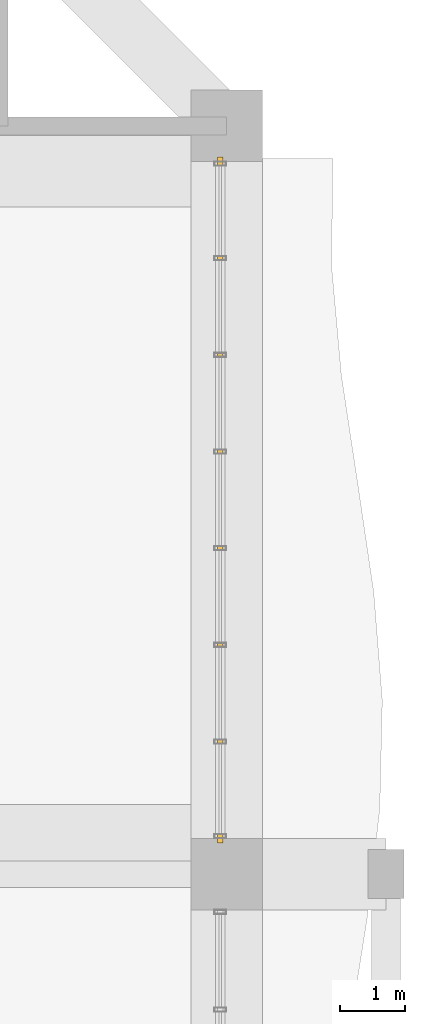
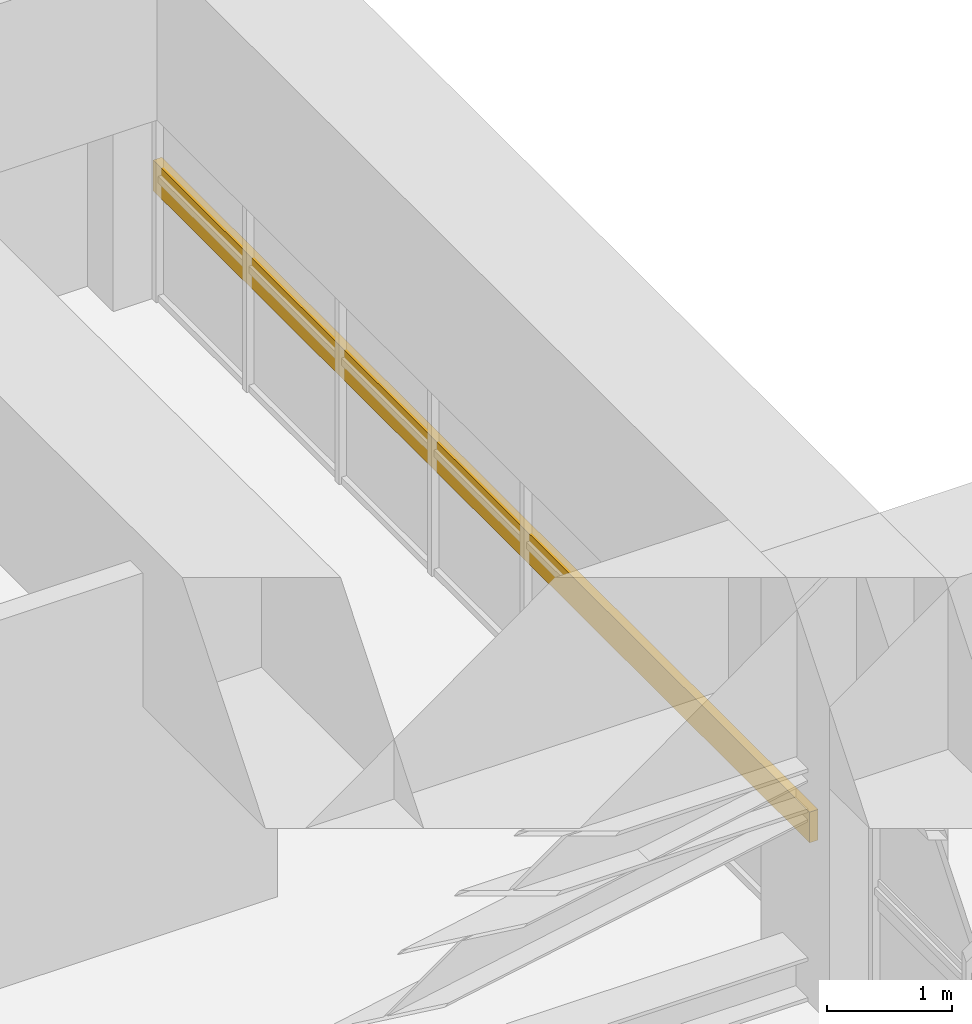
# One storey, part 35 of 35: 1 shading device.
"""IFC4 building model written with IfcOpenShell, lengths in metres."""

from ifc_helpers import new_model, si_unit, direction, frame, origin, origin_2d, place, context, subcontext, project, spatial, rectangle, extrude, source, transform, mapped, material, material_profile, profile_set, type_object, element, save


model = new_model("IFC4")

# Units and contexts
model_context = context("Model", 3, precision=1e-05, world=origin(), true_north=direction((0.0, 1.0)))
body_context = subcontext(model_context, "Body", "Model", "MODEL_VIEW")
ifc_project = project(units=[si_unit("LENGTHUNIT", "METRE"), si_unit("AREAUNIT", "SQUARE_METRE"), si_unit("VOLUMEUNIT", "CUBIC_METRE"), si_unit("PLANEANGLEUNIT", "RADIAN"), si_unit("MASSUNIT", "GRAM", prefix="KILO")], contexts=[model_context])

# Site, building, storey
site_placement = place(None, origin())
site = spatial("IfcSite", under=ifc_project, at=site_placement, CompositionType="ELEMENT")
building_placement = place(site_placement, origin())
building = spatial("IfcBuilding", under=site, at=building_placement, Name="Saelheon Loggia Tower", CompositionType="ELEMENT")
storey_placement = place(building_placement, frame((0.0, 0.0, 70.39990234375)))
storey = spatial("IfcBuildingStorey", under=building, at=storey_placement, Name="L22", CompositionType="ELEMENT", Elevation=70.39990234375)

# Shading device
ifc_material = material(Name="Bronze-Anodised Aluminium 6063-T6", Category="aluminium")
ifc_material_profile = material_profile(ifc_material, rectangle(XDim=0.080078125, YDim=0.300048828125, at=origin_2d()), Name="Louvre_Refuge_LV_RF1")
ifc_profile_set = profile_set([ifc_material_profile], Name="Bronze-Anodised Aluminium 6063-T6")
shading_device_type = type_object("IfcShadingDeviceType", Name="Louvre_Refuge_LV_RF1", PredefinedType="JALOUSIE", material=ifc_profile_set)
shared_shape = source(origin(), body_context, "Body", "SweptSolid", [
    extrude(rectangle(XDim=0.080078125, YDim=0.300048828125, at=origin_2d()), origin(), (0.0, 0.0, 1.0), 10.5400390625),
])
shading_device_placement = place(storey_placement, frame((63.89990234375, 36.47998046875, 1.150146484375), z_axis=(0.0, 1.0, 0.0), x_axis=(-1.0, 0.0, 0.0)))
element("IfcShadingDevice", 1, at=shading_device_placement, inside=storey, type_object=shading_device_type, Name="L22 Refuge Acoustic Louvre Blade", PredefinedType="JALOUSIE", context=body_context, shape_type="MappedRepresentation", body=[
    mapped(shared_shape, transform((0.0, 0.0, 0.0), scale=1.0)),
])

save(model, "model.ifc")
